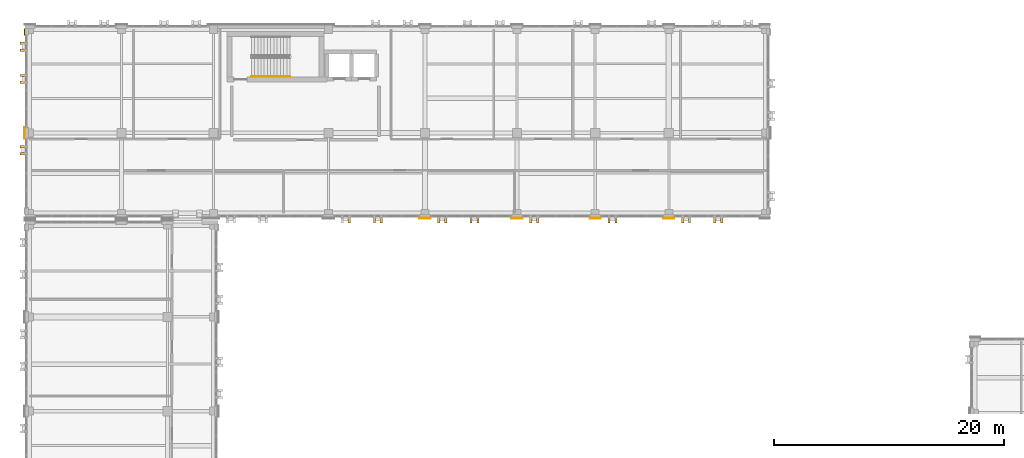
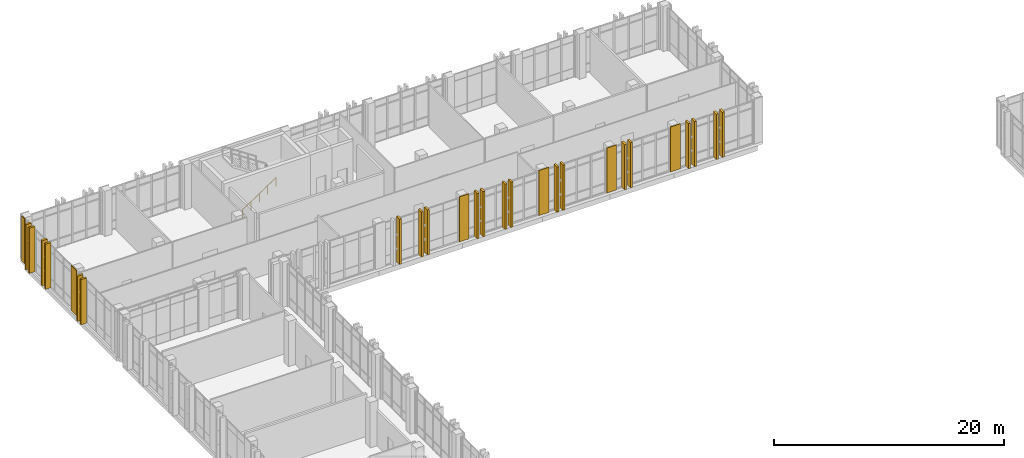
# One storey, part 179 of 189: 27 coverings, 1 railing.
"""IFC4 building model written with IfcOpenShell, lengths in metres."""

from ifc_helpers import new_model, si_unit, direction, frame, origin, origin_2d, place, context, subcontext, project, spatial, rectangle, circle, extrude, material, layer, layer_set, type_object, element, save


model = new_model("IFC4")

# Units and contexts
model_context = context("Model", 3, precision=1e-05, world=origin(), true_north=direction((0.0, 1.0)))
body_context = subcontext(model_context, "Body", "Model", "MODEL_VIEW")
ifc_project = project(units=[si_unit("LENGTHUNIT", "METRE"), si_unit("AREAUNIT", "SQUARE_METRE"), si_unit("VOLUMEUNIT", "CUBIC_METRE"), si_unit("PLANEANGLEUNIT", "RADIAN"), si_unit("MASSUNIT", "GRAM", prefix="KILO")], contexts=[model_context])

# Site, building, storey
site_placement = place(None, origin())
site = spatial("IfcSite", under=ifc_project, at=site_placement, CompositionType="ELEMENT")
building_placement = place(site_placement, origin())
building = spatial("IfcBuilding", under=site, at=building_placement, Name="Qalavern Law Courts", CompositionType="ELEMENT")
storey_placement = place(building_placement, frame((0.0, 0.0, 5.39990234375)))
storey = spatial("IfcBuildingStorey", under=building, at=storey_placement, Name="L01", CompositionType="ELEMENT", Elevation=5.39990234375)

# Coverings
ifc_material_1 = material(Name="Precast concrete C40/50", Category="concrete")
ifc_layer_1 = layer(ifc_material_1, 0.199951171875)
ifc_layer_set_1 = layer_set([ifc_layer_1], Name="Precast concrete C40/50")
covering_type_1 = type_object("IfcCoveringType", Name="ENV-BLD-1", PredefinedType="CLADDING", material=ifc_layer_set_1)
for number, where, z_axis, x_axis, name in (
    (1, (30.199951171875, 96.052490234375, 0.005126953125), (0.0, 0.0, 1.0), (0.0, -1.0, 0.0), "Absheron stone facade blade 0902"),
    (2, (32.39990234375, 96.052490234375, 0.005126953125), (0.0, 0.0, 1.0), (0.0, -1.0, 0.0), "Absheron stone facade blade 0903"),
    (3, (33.0, 96.052490234375, 0.005126953125), (0.0, 0.0, 1.0), (0.0, -1.0, 0.0), "Absheron stone facade blade 0904"),
    (4, (38.0, 96.052490234375, 0.005126953125), (0.0, 0.0, 1.0), (0.0, -1.0, 0.0), "Absheron stone facade blade 0905"),
    (5, (38.60009765625, 96.052490234375, 0.005126953125), (0.0, 0.0, 1.0), (0.0, -1.0, 0.0), "Absheron stone facade blade 0906"),
    (6, (40.800048828125, 96.052490234375, 0.005126953125), (0.0, 0.0, 1.0), (0.0, -1.0, 0.0), "Absheron stone facade blade 0907"),
    (7, (41.39990234375, 96.052490234375, 0.005126953125), (0.0, 0.0, 1.0), (0.0, -1.0, 0.0), "Absheron stone facade blade 0908"),
    (8, (46.0, 96.052490234375, 0.005126953125), (0.0, 0.0, 1.0), (0.0, -1.0, 0.0), "Absheron stone facade blade 0909"),
    (9, (46.60009765625, 96.052490234375, 0.005126953125), (0.0, 0.0, 1.0), (0.0, -1.0, 0.0), "Absheron stone facade blade 0910"),
    (10, (52.800048828125, 96.052490234375, 0.005126953125), (0.0, 0.0, 1.0), (0.0, -1.0, 0.0), "Absheron stone facade blade 0911"),
    (11, (53.39990234375, 96.052490234375, 0.005126953125), (0.0, 0.0, 1.0), (0.0, -1.0, 0.0), "Absheron stone facade blade 0912"),
    (12, (59.199951171875, 96.052490234375, 0.005126953125), (0.0, 0.0, 1.0), (0.0, -1.0, 0.0), "Absheron stone facade blade 0913"),
    (13, (59.800048828125, 96.052490234375, 0.005126953125), (0.0, 0.0, 1.0), (0.0, -1.0, 0.0), "Absheron stone facade blade 0914"),
    (14, (62.0, 96.052490234375, 0.005126953125), (0.0, 0.0, 1.0), (0.0, -1.0, 0.0), "Absheron stone facade blade 0915"),
    (15, (62.60009765625, 96.052490234375, 0.005126953125), (0.0, 0.0, 1.0), (0.0, -1.0, 0.0), "Absheron stone facade blade 0916"),
    (16, (1.8525390625, 111.39990234375, 0.005126953125), (0.0, 0.0, 1.0), (-1.0, 0.0, 0.0), "Absheron stone facade blade 0947"),
    (17, (1.8525390625, 110.800048828125, 0.005126953125), (0.0, 0.0, 1.0), (-1.0, 0.0, 0.0), "Absheron stone facade blade 0948"),
    (18, (1.8525390625, 108.60009765625, 0.005126953125), (0.0, 0.0, 1.0), (-1.0, 0.0, 0.0), "Absheron stone facade blade 0949"),
    (19, (1.8525390625, 108.0, 0.005126953125), (0.0, 0.0, 1.0), (-1.0, 0.0, 0.0), "Absheron stone facade blade 0950"),
    (20, (1.8525390625, 102.39990234375, 0.005126953125), (0.0, 0.0, 1.0), (-1.0, 0.0, 0.0), "Absheron stone facade blade 0951"),
    (21, (1.8525390625, 101.800048828125, 0.005126953125), (0.0, 0.0, 1.0), (-1.0, 0.0, 0.0), "Absheron stone facade blade 0952"),
):
    element("IfcCovering", number, at=place(storey_placement, frame(where, z_axis=z_axis, x_axis=x_axis)), inside=storey, type_object=covering_type_1, Name=name, PredefinedType="CLADDING", context=body_context, shape_type="SweptSolid", body=[
        extrude(rectangle(XDim=0.5400390625, YDim=0.199951171875, at=origin_2d()), origin(), (0.0, 0.0, 1.0), 4.7900390625),
    ])
ifc_layer_2 = layer(ifc_material_1, 0.072021484375)
ifc_layer_set_2 = layer_set([ifc_layer_2], Name="Precast concrete C40/50")
covering_type_2 = type_object("IfcCoveringType", Name="ENV-CLD-2", PredefinedType="CLADDING", material=ifc_layer_set_2)
for number, where, z_axis, x_axis, name in (
    (22, (36.800048828125, 96.1669921875, 0.01025390625), (0.0, 0.0, 1.0), (1.0, 0.0, 0.0), "V5 Absheron limestone pier facing L01 south 3"),
    (23, (44.800048828125, 96.1669921875, 0.01025390625), (0.0, 0.0, 1.0), (1.0, 0.0, 0.0), "V5 Absheron limestone pier facing L01 south 4"),
    (24, (51.60009765625, 96.1669921875, 0.01025390625), (0.0, 0.0, 1.0), (1.0, 0.0, 0.0), "V5 Absheron limestone pier facing L01 south 5"),
    (25, (58.0, 96.1669921875, 0.01025390625), (0.0, 0.0, 1.0), (1.0, 0.0, 0.0), "V5 Absheron limestone pier facing L01 south 6"),
):
    element("IfcCovering", number, at=place(storey_placement, frame(where, z_axis=z_axis, x_axis=x_axis)), inside=storey, type_object=covering_type_2, Name=name, PredefinedType="CLADDING", context=body_context, shape_type="SweptSolid", body=[
        extrude(rectangle(XDim=0.97998046875, YDim=0.072021484375, at=origin_2d()), origin(), (0.0, 0.0, 1.0), 4.780029296875),
    ])
covering_1_placement = place(storey_placement, frame((1.967041015625, 112.389892578125, 0.01025390625), z_axis=(0.0, 0.0, 1.0), x_axis=(0.0, -1.0, 0.0)))
element("IfcCovering", 26, at=covering_1_placement, inside=storey, type_object=covering_type_2, Name="V5 Absheron limestone pier facing L01 west 1", PredefinedType="CLADDING", context=body_context, shape_type="SweptSolid", body=[
    extrude(rectangle(XDim=0.56005859375, YDim=0.072021484375, at=origin_2d()), origin(), (0.0, 0.0, 1.0), 4.780029296875),
])
covering_2_placement = place(storey_placement, frame((1.967041015625, 103.60009765625, 0.01025390625), z_axis=(0.0, 0.0, 1.0), x_axis=(0.0, -1.0, 0.0)))
element("IfcCovering", 27, at=covering_2_placement, inside=storey, type_object=covering_type_2, Name="V5 Absheron limestone pier facing L01 west 2", PredefinedType="CLADDING", context=body_context, shape_type="SweptSolid", body=[
    extrude(rectangle(XDim=0.97998046875, YDim=0.072021484375, at=origin_2d()), origin(), (0.0, 0.0, 1.0), 4.780029296875),
])

# Railing
ifc_material_2 = material(Name="Steel S355", Category="steel")
railing_type = type_object("IfcRailingType", Name="INT-HRAIL-920", PredefinedType="HANDRAIL", material=ifc_material_2)
railing_placement = place(storey_placement, frame((21.699951171875, 108.5, 0.184814453125)))
element("IfcRailing", 28, at=railing_placement, inside=storey, type_object=railing_type, Name="L01 ST-K3 stair handrail 1", PredefinedType="HANDRAIL", context=body_context, shape_type="SweptSolid", body=[
    extrude(circle(Radius=0.02392578125, at=origin_2d()), frame((0.0, 0.0, 0.8759765625), z_axis=(0.834876476806, 0.0, 0.550437342915), x_axis=(0.0, 1.0, 0.0)), (0.0, 0.0, 1.0), 4.024658203125),
    extrude(circle(Radius=0.02099609375, at=origin_2d()), origin(), (0.0, 0.0, 1.0), 0.851806640625),
    extrude(circle(Radius=0.02099609375, at=origin_2d()), frame((0.840087890625, 0.0, 0.5537109375)), (0.0, 0.0, 1.0), 0.851806640625),
    extrude(circle(Radius=0.02099609375, at=origin_2d()), frame((1.68017578125, 0.0, 1.107666015625)), (0.0, 0.0, 1.0), 0.851806640625),
    extrude(circle(Radius=0.02099609375, at=origin_2d()), frame((2.52001953125, 0.0, 1.66162109375)), (0.0, 0.0, 1.0), 0.851806640625),
    extrude(circle(Radius=0.02099609375, at=origin_2d()), frame((3.360107421875, 0.0, 2.21533203125)), (0.0, 0.0, 1.0), 0.851806640625),
])

save(model, "model.ifc")
